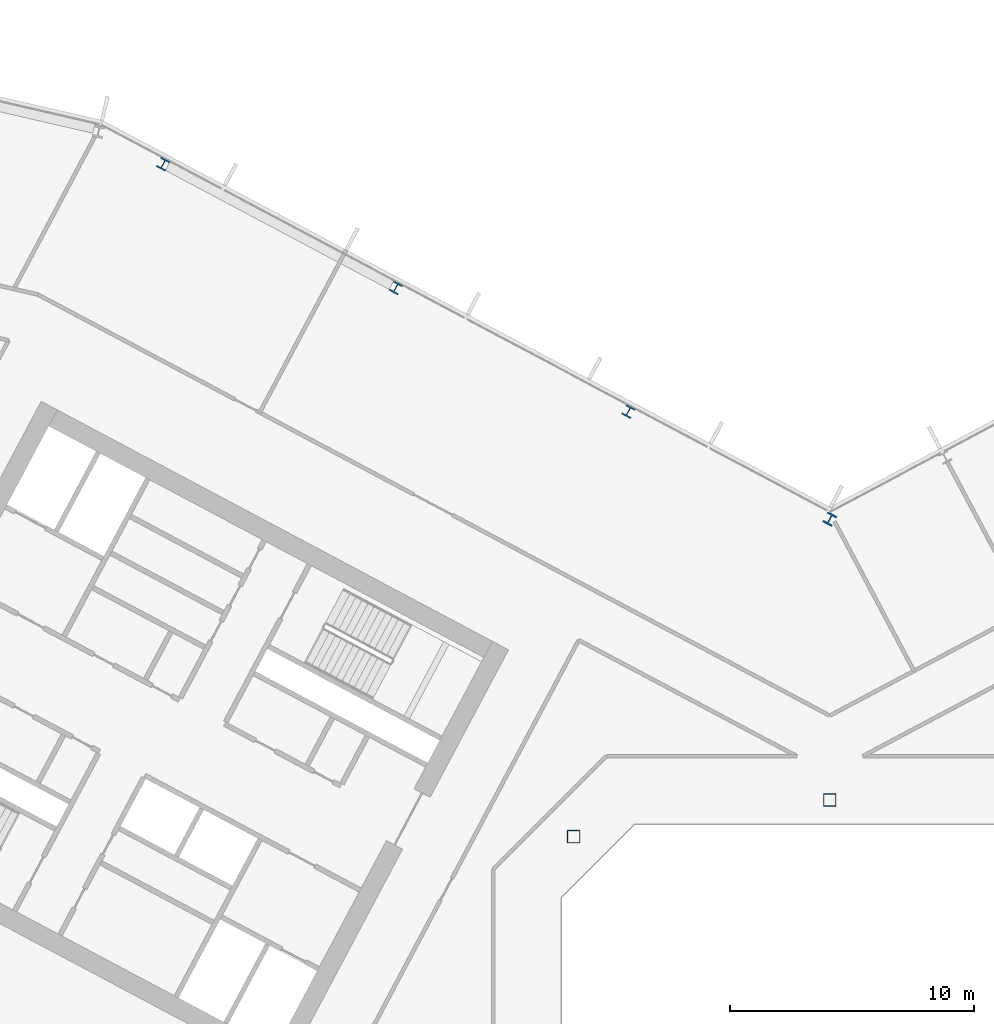
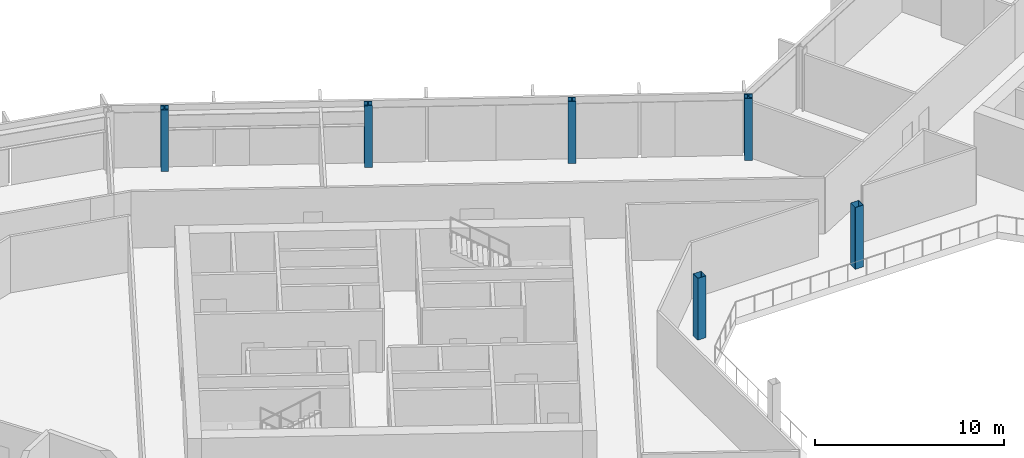
# One storey, part 4 of 34: 6 columns.
"""IFC4 building model written with IfcOpenShell, lengths in metres."""

from ifc_helpers import new_model, si_unit, direction, frame, origin, origin_2d, place, context, subcontext, project, spatial, hollow_rectangle, i_section, extrude, material, material_profile, profile_set, type_object, element, save


model = new_model("IFC4")

# Units and contexts
model_context = context("Model", 3, precision=1e-05, world=origin(), true_north=direction((0.0, 1.0)))
body_context = subcontext(model_context, "Body", "Model", "MODEL_VIEW")
ifc_project = project(units=[si_unit("LENGTHUNIT", "METRE"), si_unit("AREAUNIT", "SQUARE_METRE"), si_unit("VOLUMEUNIT", "CUBIC_METRE"), si_unit("PLANEANGLEUNIT", "RADIAN"), si_unit("MASSUNIT", "GRAM", prefix="KILO")], contexts=[model_context])

# Site, building, storey
site_placement = place(None, origin())
site = spatial("IfcSite", under=ifc_project, at=site_placement, CompositionType="ELEMENT")
building_placement = place(site_placement, origin())
building = spatial("IfcBuilding", under=site, at=building_placement, Name="Cormorant Relay Tower", CompositionType="ELEMENT")
storey_placement = place(building_placement, frame((0.0, 0.0, 118.199951171875)))
storey = spatial("IfcBuildingStorey", under=building, at=storey_placement, Name="L23", CompositionType="ELEMENT", Elevation=118.199951171875)

# Columns
ifc_material_1 = material(Name="Steel ASTM A500 Grade C (Fy 345 MPa)", Category="steel")
ifc_material_profile_1 = material_profile(ifc_material_1, hollow_rectangle(XDim=0.508056640625, YDim=0.508056640625, WallThickness=0.01171875, InnerFilletRadius=0.005859375, OuterFilletRadius=0.017822265625, at=origin_2d()), Name="HSS508x508x12")
ifc_profile_set_1 = profile_set([ifc_material_profile_1], Name="Steel ASTM A500 Grade C (Fy 345 MPa)")
column_type_1 = type_object("IfcColumnType", Name="Column HSS508x508x12", PredefinedType="COLUMN", material=ifc_profile_set_1)
for number, where, z_axis, x_axis, name in (
    (1, (-10.5, 10.5, 0.0), (0.0, 0.0, 1.0), (1.0, 0.0, 0.0), "Column L23-023"),
    (2, (0.0, 12.0, 0.0), (0.0, 0.0, 1.0), (1.0, 0.0, 0.0), "Column L23-025"),
):
    element("IfcColumn", number, at=place(storey_placement, frame(where, z_axis=z_axis, x_axis=x_axis)), inside=storey, type_object=column_type_1, Name=name, PredefinedType="COLUMN", context=body_context, shape_type="SweptSolid", body=[
        extrude(hollow_rectangle(XDim=0.508056640625, YDim=0.508056640625, WallThickness=0.01171875, InnerFilletRadius=0.005859375, OuterFilletRadius=0.017822265625, at=origin_2d()), origin(), (0.0, 0.0, 1.0), 4.0),
    ])
ifc_material_2 = material(Name="Steel ASTM A992 (Fy 345 MPa)", Category="steel")
ifc_material_profile_2 = material_profile(ifc_material_2, i_section(OverallWidth=0.41162109375, OverallDepth=0.434326171875, WebThickness=0.035888671875, FlangeThickness=0.057373046875, FilletRadius=0.01513671875, at=origin_2d()), Name="W360x463")
ifc_profile_set_2 = profile_set([ifc_material_profile_2], Name="Steel ASTM A992 (Fy 345 MPa)")
column_type_2 = type_object("IfcColumnType", Name="Column W360x463", PredefinedType="COLUMN", material=ifc_profile_set_2)
for number, where, z_axis, x_axis, name in (
    (3, (-8.257080078125, 27.925048828125, 0.0), (0.0, 0.0, 1.0), (-0.882947592859, 0.469471562786, 0.0), "Column L23-036"),
    (4, (-17.7919921875, 32.9951171875, 0.0), (0.0, 0.0, 1.0), (-0.882947592859, 0.469471562786, 0.0), "Column L23-040"),
    (5, (-27.327880859375, 38.06494140625, 0.0), (0.0, 0.0, 1.0), (-0.882947592859, 0.469471562786, 0.0), "Column L23-044"),
):
    element("IfcColumn", number, at=place(storey_placement, frame(where, z_axis=z_axis, x_axis=x_axis)), inside=storey, type_object=column_type_2, Name=name, PredefinedType="COLUMN", context=body_context, shape_type="SweptSolid", body=[
        extrude(i_section(OverallWidth=0.41162109375, OverallDepth=0.434326171875, WebThickness=0.035888671875, FlangeThickness=0.057373046875, FilletRadius=0.01513671875, at=origin_2d()), origin(), (0.0, 0.0, 1.0), 4.0),
    ])
ifc_material_3 = material(Name="Steel ASTM A992 (Fy 345 MPa)", Category="steel")
ifc_material_profile_3 = material_profile(ifc_material_3, i_section(OverallWidth=0.42431640625, OverallDepth=0.47509765625, WebThickness=0.0478515625, FlangeThickness=0.0771484375, FilletRadius=0.014892578125, at=origin_2d()), Name="W360x634")
ifc_profile_set_3 = profile_set([ifc_material_profile_3], Name="Steel ASTM A992 (Fy 345 MPa)")
column_type_3 = type_object("IfcColumnType", Name="Column W360x634", PredefinedType="COLUMN", material=ifc_profile_set_3)
column_placement = place(storey_placement, frame((0.0, 23.513916015625, 0.0), z_axis=(0.0, 0.0, 1.0), x_axis=(-0.882947592859, 0.469471562786, 0.0)))
element("IfcColumn", 6, at=column_placement, inside=storey, type_object=column_type_3, Name="Column L23-032", PredefinedType="COLUMN", context=body_context, shape_type="SweptSolid", body=[
    extrude(i_section(OverallWidth=0.42431640625, OverallDepth=0.47509765625, WebThickness=0.0478515625, FlangeThickness=0.0771484375, FilletRadius=0.014892578125, at=origin_2d()), origin(), (0.0, 0.0, 1.0), 4.0),
])

save(model, "model.ifc")
